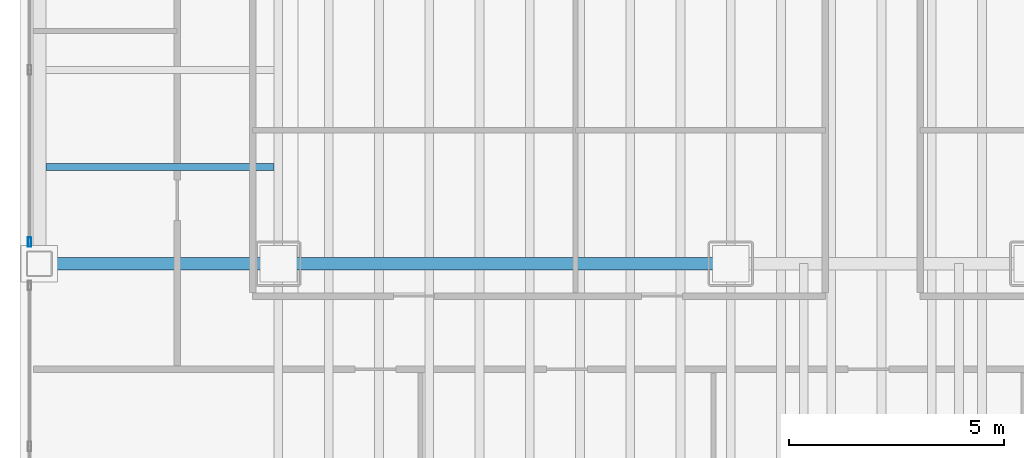
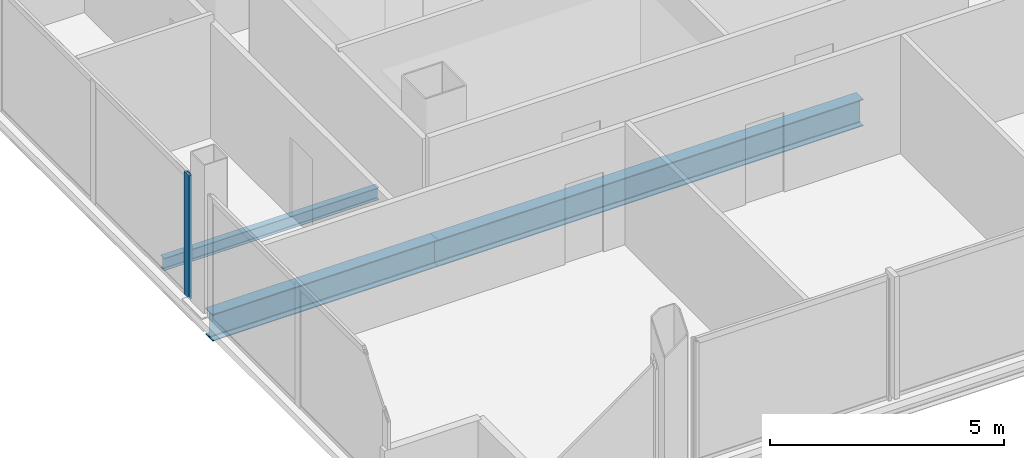
# One storey, part 4 of 22: 3 beams, 1 member, 1 element without a shape of its own.
"""IFC4 building model written with IfcOpenShell, lengths in metres."""

from ifc_helpers import new_model, si_unit, direction, frame, origin, origin_2d, place, context, subcontext, project, spatial, hollow_rectangle, i_section, extrude, material, material_profile, profile_set, type_object, element, aggregate, save


model = new_model("IFC4")

# Units and contexts
model_context = context("Model", 3, precision=1e-05, world=origin(), true_north=direction((0.0, 1.0)))
body_context = subcontext(model_context, "Body", "Model", "MODEL_VIEW")
ifc_project = project(units=[si_unit("LENGTHUNIT", "METRE"), si_unit("AREAUNIT", "SQUARE_METRE"), si_unit("VOLUMEUNIT", "CUBIC_METRE"), si_unit("PLANEANGLEUNIT", "RADIAN"), si_unit("MASSUNIT", "GRAM", prefix="KILO")], contexts=[model_context])

# Site, building, storey
site_placement = place(None, origin())
site = spatial("IfcSite", under=ifc_project, at=site_placement, CompositionType="ELEMENT")
building_placement = place(site_placement, origin())
building = spatial("IfcBuilding", under=site, at=building_placement, Name="Noeulbin Bourse Tower", CompositionType="ELEMENT")
storey_placement = place(building_placement, frame((0.0, 0.0, 85.0)))
storey = spatial("IfcBuildingStorey", under=building, at=storey_placement, Name="L21", CompositionType="ELEMENT", Elevation=85.0)

# Beams
ifc_material_1 = material(Name="Steel S355", Category="steel")
ifc_material_profile_1 = material_profile(ifc_material_1, i_section(OverallWidth=0.300048828125, OverallDepth=0.699951171875, WebThickness=0.012939453125, FlangeThickness=0.02392578125, FilletRadius=0.02392578125, at=origin_2d()), Name="H-700x300x13x24", Category="LoadBearing")
ifc_profile_set_1 = profile_set([ifc_material_profile_1], Name="Steel S355")
beam_type_1 = type_object("IfcBeamType", Name="BM-GRD-700", PredefinedType="USERDEFINED", material=ifc_profile_set_1)
beam_1_placement = place(storey_placement, frame((7.949951171875, 20.0, -0.530029296875), z_axis=(1.0, 0.0, 0.0), x_axis=(0.0, 1.0, 0.0)))
element("IfcBeam", 1, at=beam_1_placement, inside=storey, type_object=beam_type_1, Name="Tower Primary Girder EW L21-1.1", ObjectType="GIRDER", PredefinedType="USERDEFINED", context=body_context, shape_type="SweptSolid", body=[
    extrude(i_section(OverallWidth=0.300048828125, OverallDepth=0.699951171875, WebThickness=0.012939453125, FlangeThickness=0.02392578125, FilletRadius=0.02392578125, at=origin_2d()), origin(), (0.0, 0.0, 1.0), 5.550048828125),
])
beam_2_placement = place(storey_placement, frame((13.5, 20.0, -0.530029296875), z_axis=(1.0, 0.0, 0.0), x_axis=(0.0, 1.0, 0.0)))
element("IfcBeam", 2, at=beam_2_placement, inside=storey, type_object=beam_type_1, Name="Tower Primary Girder EW L21-1.2", ObjectType="GIRDER", PredefinedType="USERDEFINED", context=body_context, shape_type="SweptSolid", body=[
    extrude(i_section(OverallWidth=0.300048828125, OverallDepth=0.699951171875, WebThickness=0.012939453125, FlangeThickness=0.02392578125, FilletRadius=0.02392578125, at=origin_2d()), origin(), (0.0, 0.0, 1.0), 10.5),
])
ifc_material_profile_2 = material_profile(ifc_material_1, i_section(OverallWidth=0.159912109375, OverallDepth=0.320068359375, WebThickness=0.006591796875, FlangeThickness=0.010009765625, FilletRadius=0.012939453125, at=origin_2d()), Name="H-320x160x6.5x10", Category="LoadBearing")
ifc_profile_set_2 = profile_set([ifc_material_profile_2], Name="Steel S355")
beam_type_2 = type_object("IfcBeamType", Name="BM-JST-320", PredefinedType="JOIST", material=ifc_profile_set_2)
beam_3_placement = place(storey_placement, frame((8.10009765625, 22.25, -0.340087890625), z_axis=(1.0, 0.0, 0.0), x_axis=(0.0, 1.0, 0.0)))
element("IfcBeam", 3, at=beam_3_placement, inside=storey, type_object=beam_type_2, Name="Wing Composite Joist L21-W70", PredefinedType="JOIST", context=body_context, shape_type="SweptSolid", body=[
    extrude(i_section(OverallWidth=0.159912109375, OverallDepth=0.320068359375, WebThickness=0.006591796875, FlangeThickness=0.010009765625, FilletRadius=0.012939453125, at=origin_2d()), origin(), (0.0, 0.0, 1.0), 5.2998046875),
])

# Curtain wall, member
ifc_material_2 = material(Name="Dark Solar-Control Double Glazing", Category="glass")
curtain_wall_type = type_object("IfcCurtainWallType", Name="CW-SYS-2", PredefinedType="NOTDEFINED", material=ifc_material_2)
curtain_wall_placement = place(storey_placement, origin())
curtain_wall = element("IfcCurtainWall", 4, at=curtain_wall_placement, inside=storey, type_object=curtain_wall_type, Name="Unitised Curtain Wall CW-L21-W-S2", PredefinedType="NOTDEFINED")
ifc_material_3 = material(Name="Anodised Aluminium 6063-T6", Category="aluminium")
ifc_material_profile_3 = material_profile(ifc_material_3, hollow_rectangle(XDim=0.074951171875, YDim=0.219970703125, WallThickness=0.0048828125, InnerFilletRadius=0.00244140625, OuterFilletRadius=0.0048828125, at=origin_2d()), Name="ALU-MULL-75x220x5", Category="LoadBearing")
ifc_profile_set_3 = profile_set([ifc_material_profile_3], Name="Anodised Aluminium 6063-T6")
member_type = type_object("IfcMemberType", Name="CW-SYS-2-MUL", PredefinedType="MULLION", material=ifc_profile_set_3)
member_placement = place(storey_placement, frame((7.719970703125, 20.5, -0.02001953125), z_axis=(0.0, 0.0, 1.0), x_axis=(1.0, 0.0, 0.0)))
member = element("IfcMember", 5, at=member_placement, type_object=member_type, Name="Curtain Wall Mullion CW-L21-W-S2-M00", PredefinedType="MULLION", context=body_context, shape_type="SweptSolid", body=[
    extrude(hollow_rectangle(XDim=0.074951171875, YDim=0.219970703125, WallThickness=0.0048828125, InnerFilletRadius=0.00244140625, OuterFilletRadius=0.0048828125, at=origin_2d()), origin(), (0.0, 0.0, 1.0), 3.219970703125),
])
aggregate(curtain_wall, [member])

save(model, "model.ifc")
